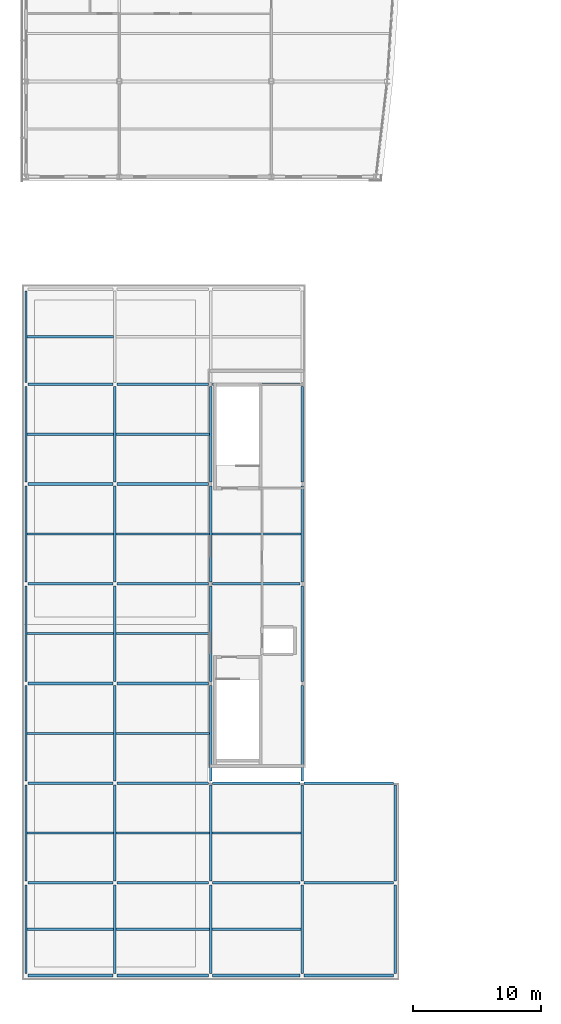
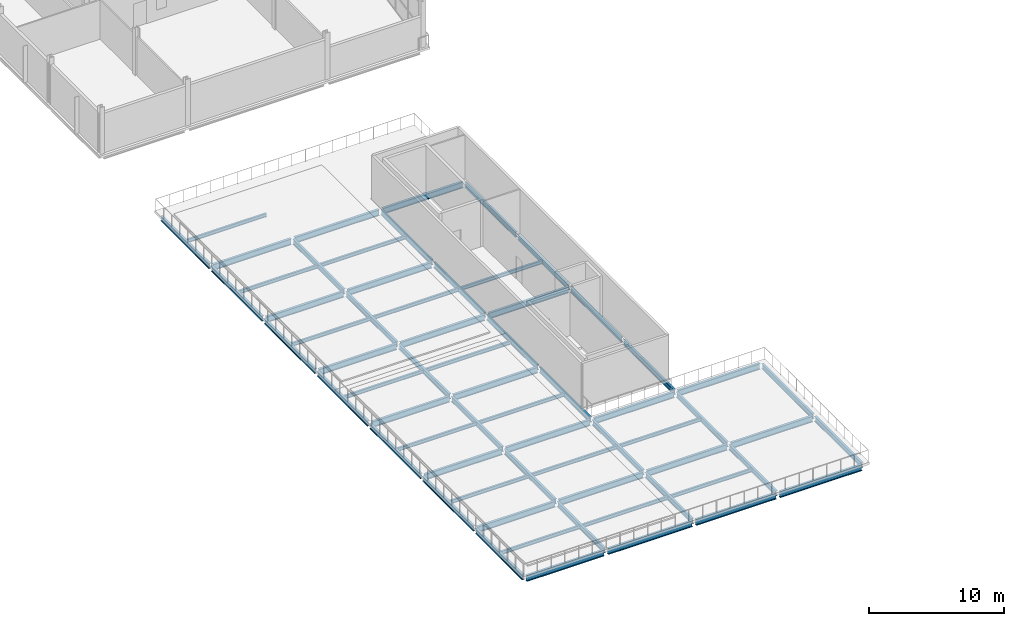
# One storey, part 2 of 36: 65 beams.
"""IFC4 building model written with IfcOpenShell, lengths in metres."""

import ifcopenshell
import ifcopenshell.guid

model = None  # the IFC model being written
_history = None  # IfcOwnerHistory: only IFC2X3 demands one
_inside = {}  # id of a spatial element -> (the spatial element, [elements in it])
_under = {}  # id of a project, library or spatial element -> (it, [spatial elements below it])
_declared = {}  # id of a project -> (the project, [libraries it declares])
_typed = {}  # id of a type object -> (the type object, [elements of that type])
_made_of = {}  # id of a material, layer set ... -> (it, [elements and type objects made of it])


def new_model(schema):
    """Start an empty IFC model of exactly this schema.

    Asked for "IFC4X3", IfcOpenShell would pick the latest addendum, in which some entities
    have other attributes; the version numbers below select the first issue.
    IFC2X3 requires an IfcOwnerHistory on every rooted entity: one is made here for all.
    """
    global model, _history
    if schema == "IFC4X3":
        model = ifcopenshell.file(schema_version=(4, 3, 0, 0))
    else:
        model = ifcopenshell.file(schema=schema)
    _inside.clear()
    _under.clear()
    _declared.clear()
    _typed.clear()
    _made_of.clear()
    _history = None
    if model.schema == "IFC2X3":
        org = make("IfcOrganization", Name="unknown")
        user = make(
            "IfcPersonAndOrganization",
            ThePerson=make("IfcPerson", FamilyName="unknown"),
            TheOrganization=org,
        )
        app = make(
            "IfcApplication",
            ApplicationDeveloper=org,
            Version="unknown",
            ApplicationFullName="unknown",
            ApplicationIdentifier="unknown",
        )
        _history = make(
            "IfcOwnerHistory",
            OwningUser=user,
            OwningApplication=app,
            ChangeAction="ADDED",
            CreationDate=0,
        )
    return model


def make(cls, **values):
    """One entity of the class cls with the attributes given. An attribute that is None is left unset."""
    return model.create_entity(
        cls, **{name: value for name, value in values.items() if value is not None}
    )


def rooted(cls, **values):
    """An entity with a GlobalId (a new one), such as an element, a storey or a relation."""
    return make(cls, GlobalId=ifcopenshell.guid.new(), OwnerHistory=_history, **values)


def si_unit(unit_type, name, prefix=None):
    """IfcSIUnit, for example si_unit("LENGTHUNIT", "METRE", prefix="MILLI")."""
    return make("IfcSIUnit", UnitType=unit_type, Prefix=prefix, Name=name)


def assignment(units):
    """IfcUnitAssignment: the units of a project."""
    return None if units is None else make("IfcUnitAssignment", Units=units)


def point(xyz):
    """IfcCartesianPoint."""
    return None if xyz is None else make("IfcCartesianPoint", Coordinates=xyz)


def direction(xyz):
    """IfcDirection."""
    return None if xyz is None else make("IfcDirection", DirectionRatios=xyz)


def frame(location, z_axis=None, x_axis=None):
    """IfcAxis2Placement3D, a coordinate frame: its origin and axes. An axis left out is left unset."""
    return make(
        "IfcAxis2Placement3D",
        Location=point(location),
        Axis=direction(z_axis),
        RefDirection=direction(x_axis),
    )


def frame_2d(location, x_axis=None):
    """IfcAxis2Placement2D, a coordinate frame in the plane: its origin and x axis."""
    return make(
        "IfcAxis2Placement2D", Location=point(location), RefDirection=direction(x_axis)
    )


def origin():
    """The frame at (0, 0, 0) with its axes left unset."""
    return frame((0.0, 0.0, 0.0))


def origin_2d():
    """The frame at (0, 0) in the plane with its x axis left unset."""
    return frame_2d((0.0, 0.0))


def place(relative_to, where):
    """IfcLocalPlacement: puts the frame where relative to a parent placement (None: the world)."""
    return make(
        "IfcLocalPlacement", PlacementRelTo=relative_to, RelativePlacement=where
    )


def context(
    kind, dimensions, precision=None, world=None, true_north=None, identifier=None
):
    """IfcGeometricRepresentationContext, for example the 3D "Model" context."""
    return make(
        "IfcGeometricRepresentationContext",
        ContextIdentifier=identifier,
        ContextType=kind,
        CoordinateSpaceDimension=dimensions,
        Precision=precision,
        WorldCoordinateSystem=world,
        TrueNorth=true_north,
    )


def subcontext(parent, identifier, kind, view, scale=None):
    """IfcGeometricRepresentationSubContext, for example "Body" below "Model"."""
    return make(
        "IfcGeometricRepresentationSubContext",
        ContextIdentifier=identifier,
        ContextType=kind,
        ParentContext=parent,
        TargetScale=scale,
        TargetView=view,
    )


def project(units=None, contexts=None):
    """IfcProject with its units and contexts."""
    return rooted(
        "IfcProject",
        Name="project",
        RepresentationContexts=contexts,
        UnitsInContext=assignment(units),
    )


def spatial(cls, under=None, at=None, **own):
    """A site, building, storey or space (cls), placed at a placement, below another one or the project."""
    s = rooted(cls, ObjectPlacement=at, **own)
    if under is not None:
        _under.setdefault(under.id(), (under, []))[1].append(s)
    return s


def profile(cls, at=None, kind="AREA", **sizes):
    """A parametric profile (cls). Its sizes go by their IFC names, for example OverallWidth=200.0."""
    return make(cls, ProfileType=kind, Position=at, **sizes)


def i_section(**sizes):
    """IfcIShapeProfileDef."""
    return profile("IfcIShapeProfileDef", **sizes)


def extrude(swept, where, along, depth):
    """IfcExtrudedAreaSolid: the profile swept, set in the frame where, extruded along a direction by depth."""
    return make(
        "IfcExtrudedAreaSolid",
        SweptArea=swept,
        Position=where,
        ExtrudedDirection=direction(along),
        Depth=depth,
    )


def shape(context_of_items, identifier, shape_type, items):
    """IfcShapeRepresentation: the items that make up one representation, for example the "Body"."""
    return make(
        "IfcShapeRepresentation",
        ContextOfItems=context_of_items,
        RepresentationIdentifier=identifier,
        RepresentationType=shape_type,
        Items=items,
    )


def material(Name=None, Category=None):
    """IfcMaterial."""
    return make("IfcMaterial", Name=Name, Category=Category)


def material_profile(
    of_material, cross_section, Name=None, Category=None, Priority=None
):
    """IfcMaterialProfile: a cross section and its material."""
    return make(
        "IfcMaterialProfile",
        Name=Name,
        Material=of_material,
        Profile=cross_section,
        Priority=Priority,
        Category=Category,
    )


def profile_set(profiles, Name=None, composite=None):
    """IfcMaterialProfileSet."""
    return make(
        "IfcMaterialProfileSet",
        Name=Name,
        MaterialProfiles=profiles,
        CompositeProfile=composite,
    )


def made_of(thing, what):
    """Note that an element or type object is made of a material, layer set ...; save() writes the relation."""
    if what is not None:
        _made_of.setdefault(what.id(), (what, []))[1].append(thing)
    return thing


def type_object(cls, material=None, **own):
    """A type object (cls), such as IfcWallType, which elements share."""
    return made_of(rooted(cls, **own), material)


def element(
    cls,
    number,
    at=None,
    inside=None,
    cuts=None,
    type_object=None,
    material=None,
    context=None,
    identifier="Body",
    shape_type=None,
    held_by="IfcProductDefinitionShape",
    body=None,
    shapes=None,
    **own,
):
    """One element of the class cls, such as IfcWall. Its Tag is "e" and its number.

    at: its placement. inside: the storey or other place that contains it. cuts: it is an
    opening in that element (IfcRelVoidsElement). A single representation is given by context,
    identifier, shape_type and body (its items); several are given by shapes. held_by: the class
    of the entity that holds the representations. save() writes the other relations.
    """
    e = rooted(cls, Tag="e%d" % number, ObjectPlacement=at, **own)
    if body is not None:
        shapes = [shape(context, identifier, shape_type, body)]
    if shapes is not None:
        e.Representation = make(held_by, Representations=shapes)
    if inside is not None:
        _inside.setdefault(inside.id(), (inside, []))[1].append(e)
    if cuts is not None:
        rooted(
            "IfcRelVoidsElement", RelatingBuildingElement=cuts, RelatedOpeningElement=e
        )
    if type_object is not None:
        _typed.setdefault(type_object.id(), (type_object, []))[1].append(e)
    return made_of(e, material)


def aggregate(whole, parts):
    """IfcRelAggregates: a whole, such as a stair, and the parts it consists of."""
    return rooted("IfcRelAggregates", RelatingObject=whole, RelatedObjects=parts)


def save(model, path):
    """Write the relations noted so far, then the file.

    IfcRelAggregates (storeys below a building ...), IfcRelContainedInSpatialStructure (elements
    in a storey), IfcRelDefinesByType, IfcRelAssociatesMaterial and IfcRelDeclares: one each for
    every whole, place, type object, material and project.
    """
    for whole, parts in _under.values():
        aggregate(whole, parts)
    for where, things in _inside.values():
        rooted(
            "IfcRelContainedInSpatialStructure",
            RelatedElements=things,
            RelatingStructure=where,
        )
    for kind, things in _typed.values():
        rooted("IfcRelDefinesByType", RelatedObjects=things, RelatingType=kind)
    for what, things in _made_of.values():
        rooted("IfcRelAssociatesMaterial", RelatedObjects=things, RelatingMaterial=what)
    for by, libraries in _declared.values():
        rooted("IfcRelDeclares", RelatingContext=by, RelatedDefinitions=libraries)
    model.write(path)


model = new_model("IFC4")

# Units and contexts
model_context = context("Model", 3, precision=1e-05, world=origin(), true_north=direction((0.0, 1.0)))
body_context = subcontext(model_context, "Body", "Model", "MODEL_VIEW")
ifc_project = project(units=[si_unit("LENGTHUNIT", "METRE"), si_unit("AREAUNIT", "SQUARE_METRE"), si_unit("VOLUMEUNIT", "CUBIC_METRE"), si_unit("PLANEANGLEUNIT", "RADIAN"), si_unit("MASSUNIT", "GRAM", prefix="KILO")], contexts=[model_context])

# Site, building, storey
site_placement = place(None, origin())
site = spatial("IfcSite", under=ifc_project, at=site_placement, CompositionType="ELEMENT")
building_placement = place(site_placement, origin())
building = spatial("IfcBuilding", under=site, at=building_placement, Name="Quillay Park Conservatory", CompositionType="ELEMENT")
storey_placement = place(building_placement, frame((0.0, 0.0, 18.300048828125)))
storey = spatial("IfcBuildingStorey", under=building, at=storey_placement, Name="L04", CompositionType="ELEMENT", Elevation=18.300048828125)

# Beams
ifc_material_1 = material(Name="Steel ASTM A992 Grade 50", Category="steel")
ifc_material_profile_1 = material_profile(ifc_material_1, i_section(OverallWidth=0.166015625, OverallDepth=0.31298828125, WebThickness=0.006591796875, FlangeThickness=0.01123046875, FilletRadius=0.010009765625, at=origin_2d()), Name="W310x45")
ifc_profile_set_1 = profile_set([ifc_material_profile_1], Name="Steel ASTM A992 Grade 50")
beam_type_1 = type_object("IfcBeamType", Name="COMPOSITE FLOOR JOIST W310 X45", PredefinedType="JOIST", material=ifc_profile_set_1)
beam_1_placement = place(storey_placement, frame((0.64599609375, 4.175048828125, -0.381591796875), z_axis=(1.0, 0.0, 0.0), x_axis=(0.0, 1.0, 0.0)))
element("IfcBeam", 1, at=beam_1_placement, inside=storey, type_object=beam_type_1, Name="L04 beam BM-V3J-1526", PredefinedType="JOIST", context=body_context, shape_type="SweptSolid", body=[
    extrude(i_section(OverallWidth=0.166015625, OverallDepth=0.31298828125, WebThickness=0.006591796875, FlangeThickness=0.01123046875, FilletRadius=0.010009765625, at=origin_2d()), origin(), (0.0, 0.0, 1.0), 6.758056640625),
])
beam_2_placement = place(storey_placement, frame((7.595947265625, 4.175048828125, -0.381591796875), z_axis=(1.0, 0.0, 0.0), x_axis=(0.0, 1.0, 0.0)))
element("IfcBeam", 2, at=beam_2_placement, inside=storey, type_object=beam_type_1, Name="L04 beam BM-V3J-1527", PredefinedType="JOIST", context=body_context, shape_type="SweptSolid", body=[
    extrude(i_section(OverallWidth=0.166015625, OverallDepth=0.31298828125, WebThickness=0.006591796875, FlangeThickness=0.01123046875, FilletRadius=0.010009765625, at=origin_2d()), origin(), (0.0, 0.0, 1.0), 7.30810546875),
])
beam_3_placement = place(storey_placement, frame((15.095947265625, 4.175048828125, -0.381591796875), z_axis=(1.0, 0.0, 0.0), x_axis=(0.0, 1.0, 0.0)))
element("IfcBeam", 3, at=beam_3_placement, inside=storey, type_object=beam_type_1, Name="L04 beam BM-V3J-1528", PredefinedType="JOIST", context=body_context, shape_type="SweptSolid", body=[
    extrude(i_section(OverallWidth=0.166015625, OverallDepth=0.31298828125, WebThickness=0.006591796875, FlangeThickness=0.01123046875, FilletRadius=0.010009765625, at=origin_2d()), origin(), (0.0, 0.0, 1.0), 6.9580078125),
])
beam_4_placement = place(storey_placement, frame((0.64599609375, 11.699951171875, -0.381591796875), z_axis=(1.0, 0.0, 0.0), x_axis=(0.0, 1.0, 0.0)))
element("IfcBeam", 4, at=beam_4_placement, inside=storey, type_object=beam_type_1, Name="L04 beam BM-V3J-1529", PredefinedType="JOIST", context=body_context, shape_type="SweptSolid", body=[
    extrude(i_section(OverallWidth=0.166015625, OverallDepth=0.31298828125, WebThickness=0.006591796875, FlangeThickness=0.01123046875, FilletRadius=0.010009765625, at=origin_2d()), origin(), (0.0, 0.0, 1.0), 6.758056640625),
])
beam_5_placement = place(storey_placement, frame((7.595947265625, 11.699951171875, -0.381591796875), z_axis=(1.0, 0.0, 0.0), x_axis=(0.0, 1.0, 0.0)))
element("IfcBeam", 5, at=beam_5_placement, inside=storey, type_object=beam_type_1, Name="L04 beam BM-V3J-1530", PredefinedType="JOIST", context=body_context, shape_type="SweptSolid", body=[
    extrude(i_section(OverallWidth=0.166015625, OverallDepth=0.31298828125, WebThickness=0.006591796875, FlangeThickness=0.01123046875, FilletRadius=0.010009765625, at=origin_2d()), origin(), (0.0, 0.0, 1.0), 7.30810546875),
])
beam_6_placement = place(storey_placement, frame((15.095947265625, 11.699951171875, -0.381591796875), z_axis=(1.0, 0.0, 0.0), x_axis=(0.0, 1.0, 0.0)))
element("IfcBeam", 6, at=beam_6_placement, inside=storey, type_object=beam_type_1, Name="L04 beam BM-V3J-1531", PredefinedType="JOIST", context=body_context, shape_type="SweptSolid", body=[
    extrude(i_section(OverallWidth=0.166015625, OverallDepth=0.31298828125, WebThickness=0.006591796875, FlangeThickness=0.01123046875, FilletRadius=0.010009765625, at=origin_2d()), origin(), (0.0, 0.0, 1.0), 6.9580078125),
])
beam_7_placement = place(storey_placement, frame((0.64599609375, 19.5, -0.381591796875), z_axis=(1.0, 0.0, 0.0), x_axis=(0.0, 1.0, 0.0)))
element("IfcBeam", 7, at=beam_7_placement, inside=storey, type_object=beam_type_1, Name="L04 beam BM-V3J-1532", PredefinedType="JOIST", context=body_context, shape_type="SweptSolid", body=[
    extrude(i_section(OverallWidth=0.166015625, OverallDepth=0.31298828125, WebThickness=0.006591796875, FlangeThickness=0.01123046875, FilletRadius=0.010009765625, at=origin_2d()), origin(), (0.0, 0.0, 1.0), 6.758056640625),
])
beam_8_placement = place(storey_placement, frame((7.595947265625, 19.5, -0.381591796875), z_axis=(1.0, 0.0, 0.0), x_axis=(0.0, 1.0, 0.0)))
element("IfcBeam", 8, at=beam_8_placement, inside=storey, type_object=beam_type_1, Name="L04 beam BM-V3J-1533", PredefinedType="JOIST", context=body_context, shape_type="SweptSolid", body=[
    extrude(i_section(OverallWidth=0.166015625, OverallDepth=0.31298828125, WebThickness=0.006591796875, FlangeThickness=0.01123046875, FilletRadius=0.010009765625, at=origin_2d()), origin(), (0.0, 0.0, 1.0), 7.30810546875),
])
beam_9_placement = place(storey_placement, frame((0.64599609375, 27.300048828125, -0.381591796875), z_axis=(1.0, 0.0, 0.0), x_axis=(0.0, 1.0, 0.0)))
element("IfcBeam", 9, at=beam_9_placement, inside=storey, type_object=beam_type_1, Name="L04 beam BM-V3J-1534", PredefinedType="JOIST", context=body_context, shape_type="SweptSolid", body=[
    extrude(i_section(OverallWidth=0.166015625, OverallDepth=0.31298828125, WebThickness=0.006591796875, FlangeThickness=0.01123046875, FilletRadius=0.010009765625, at=origin_2d()), origin(), (0.0, 0.0, 1.0), 6.758056640625),
])
beam_10_placement = place(storey_placement, frame((7.595947265625, 27.300048828125, -0.381591796875), z_axis=(1.0, 0.0, 0.0), x_axis=(0.0, 1.0, 0.0)))
element("IfcBeam", 10, at=beam_10_placement, inside=storey, type_object=beam_type_1, Name="L04 beam BM-V3J-1535", PredefinedType="JOIST", context=body_context, shape_type="SweptSolid", body=[
    extrude(i_section(OverallWidth=0.166015625, OverallDepth=0.31298828125, WebThickness=0.006591796875, FlangeThickness=0.01123046875, FilletRadius=0.010009765625, at=origin_2d()), origin(), (0.0, 0.0, 1.0), 7.30810546875),
])
beam_11_placement = place(storey_placement, frame((0.64599609375, 35.10009765625, -0.381591796875), z_axis=(1.0, 0.0, 0.0), x_axis=(0.0, 1.0, 0.0)))
element("IfcBeam", 11, at=beam_11_placement, inside=storey, type_object=beam_type_1, Name="L04 beam BM-V3J-1536", PredefinedType="JOIST", context=body_context, shape_type="SweptSolid", body=[
    extrude(i_section(OverallWidth=0.166015625, OverallDepth=0.31298828125, WebThickness=0.006591796875, FlangeThickness=0.01123046875, FilletRadius=0.010009765625, at=origin_2d()), origin(), (0.0, 0.0, 1.0), 6.758056640625),
])
beam_12_placement = place(storey_placement, frame((7.595947265625, 35.10009765625, -0.381591796875), z_axis=(1.0, 0.0, 0.0), x_axis=(0.0, 1.0, 0.0)))
element("IfcBeam", 12, at=beam_12_placement, inside=storey, type_object=beam_type_1, Name="L04 beam BM-V3J-1537", PredefinedType="JOIST", context=body_context, shape_type="SweptSolid", body=[
    extrude(i_section(OverallWidth=0.166015625, OverallDepth=0.31298828125, WebThickness=0.006591796875, FlangeThickness=0.01123046875, FilletRadius=0.010009765625, at=origin_2d()), origin(), (0.0, 0.0, 1.0), 7.30810546875),
])
beam_13_placement = place(storey_placement, frame((15.095947265625, 35.10009765625, -0.381591796875), z_axis=(1.0, 0.0, 0.0), x_axis=(0.0, 1.0, 0.0)))
element("IfcBeam", 13, at=beam_13_placement, inside=storey, type_object=beam_type_1, Name="L04 beam BM-V3J-1538", PredefinedType="JOIST", context=body_context, shape_type="SweptSolid", body=[
    extrude(i_section(OverallWidth=0.166015625, OverallDepth=0.31298828125, WebThickness=0.006591796875, FlangeThickness=0.01123046875, FilletRadius=0.010009765625, at=origin_2d()), origin(), (0.0, 0.0, 1.0), 6.9580078125),
])
beam_14_placement = place(storey_placement, frame((0.64599609375, 42.89990234375, -0.381591796875), z_axis=(1.0, 0.0, 0.0), x_axis=(0.0, 1.0, 0.0)))
element("IfcBeam", 14, at=beam_14_placement, inside=storey, type_object=beam_type_1, Name="L04 beam BM-V3J-1539", PredefinedType="JOIST", context=body_context, shape_type="SweptSolid", body=[
    extrude(i_section(OverallWidth=0.166015625, OverallDepth=0.31298828125, WebThickness=0.006591796875, FlangeThickness=0.01123046875, FilletRadius=0.010009765625, at=origin_2d()), origin(), (0.0, 0.0, 1.0), 6.758056640625),
])
beam_15_placement = place(storey_placement, frame((7.595947265625, 42.89990234375, -0.381591796875), z_axis=(1.0, 0.0, 0.0), x_axis=(0.0, 1.0, 0.0)))
element("IfcBeam", 15, at=beam_15_placement, inside=storey, type_object=beam_type_1, Name="L04 beam BM-V3J-1540", PredefinedType="JOIST", context=body_context, shape_type="SweptSolid", body=[
    extrude(i_section(OverallWidth=0.166015625, OverallDepth=0.31298828125, WebThickness=0.006591796875, FlangeThickness=0.01123046875, FilletRadius=0.010009765625, at=origin_2d()), origin(), (0.0, 0.0, 1.0), 7.30810546875),
])
beam_16_placement = place(storey_placement, frame((0.64599609375, 50.52490234375, -0.381591796875), z_axis=(1.0, 0.0, 0.0), x_axis=(0.0, 1.0, 0.0)))
element("IfcBeam", 16, at=beam_16_placement, inside=storey, type_object=beam_type_1, Name="L04 beam BM-V3J-1541", PredefinedType="JOIST", context=body_context, shape_type="SweptSolid", body=[
    extrude(i_section(OverallWidth=0.166015625, OverallDepth=0.31298828125, WebThickness=0.006591796875, FlangeThickness=0.01123046875, FilletRadius=0.010009765625, at=origin_2d()), origin(), (0.0, 0.0, 1.0), 6.758056640625),
])
ifc_material_2 = material(Name="Steel ASTM A992 Grade 50", Category="steel")
ifc_material_profile_2 = material_profile(ifc_material_2, i_section(OverallWidth=0.19189453125, OverallDepth=0.462890625, WebThickness=0.010498046875, FlangeThickness=0.017578125, FilletRadius=0.012939453125, at=origin_2d()), Name="W460x89")
ifc_profile_set_2 = profile_set([ifc_material_profile_2], Name="Steel ASTM A992 Grade 50")
beam_type_2 = type_object("IfcBeamType", Name="PRIMARY FLOOR GIRDER W460 X89", PredefinedType="BEAM", material=ifc_profile_set_2)
beam_17_placement = place(storey_placement, frame((0.550048828125, 0.70703125, -0.45654296875), z_axis=(0.0, 1.0, 0.0), x_axis=(-1.0, 0.0, 0.0)))
element("IfcBeam", 17, at=beam_17_placement, inside=storey, type_object=beam_type_2, Name="L04 beam BM-V3Y-1496", PredefinedType="BEAM", context=body_context, shape_type="SweptSolid", body=[
    extrude(i_section(OverallWidth=0.19189453125, OverallDepth=0.462890625, WebThickness=0.010498046875, FlangeThickness=0.017578125, FilletRadius=0.012939453125, at=origin_2d()), origin(), (0.0, 0.0, 1.0), 6.93603515625),
])
beam_18_placement = place(storey_placement, frame((0.550048828125, 7.95703125, -0.45654296875), z_axis=(0.0, 1.0, 0.0), x_axis=(-1.0, 0.0, 0.0)))
element("IfcBeam", 18, at=beam_18_placement, inside=storey, type_object=beam_type_2, Name="L04 beam BM-V3Y-1497", PredefinedType="BEAM", context=body_context, shape_type="SweptSolid", body=[
    extrude(i_section(OverallWidth=0.19189453125, OverallDepth=0.462890625, WebThickness=0.010498046875, FlangeThickness=0.017578125, FilletRadius=0.012939453125, at=origin_2d()), origin(), (0.0, 0.0, 1.0), 7.486083984375),
])
beam_19_placement = place(storey_placement, frame((0.550048828125, 15.757080078125, -0.45654296875), z_axis=(0.0, 1.0, 0.0), x_axis=(-1.0, 0.0, 0.0)))
element("IfcBeam", 19, at=beam_19_placement, inside=storey, type_object=beam_type_2, Name="L04 beam BM-V3Y-1498", PredefinedType="BEAM", context=body_context, shape_type="SweptSolid", body=[
    extrude(i_section(OverallWidth=0.19189453125, OverallDepth=0.462890625, WebThickness=0.010498046875, FlangeThickness=0.017578125, FilletRadius=0.012939453125, at=origin_2d()), origin(), (0.0, 0.0, 1.0), 7.48583984375),
])
for number, where, z_axis, x_axis, name in (
    (20, (0.550048828125, 23.556884765625, -0.45654296875), (0.0, 1.0, 0.0), (-1.0, 0.0, 0.0), "L04 beam BM-V3Y-1499"),
    (21, (0.550048828125, 31.35693359375, -0.45654296875), (0.0, 1.0, 0.0), (-1.0, 0.0, 0.0), "L04 beam BM-V3Y-1500"),
    (22, (0.550048828125, 39.156982421875, -0.45654296875), (0.0, 1.0, 0.0), (-1.0, 0.0, 0.0), "L04 beam BM-V3Y-1501"),
):
    element("IfcBeam", number, at=place(storey_placement, frame(where, z_axis=z_axis, x_axis=x_axis)), inside=storey, type_object=beam_type_2, Name=name, PredefinedType="BEAM", context=body_context, shape_type="SweptSolid", body=[
        extrude(i_section(OverallWidth=0.19189453125, OverallDepth=0.462890625, WebThickness=0.010498046875, FlangeThickness=0.017578125, FilletRadius=0.012939453125, at=origin_2d()), origin(), (0.0, 0.0, 1.0), 7.486083984375),
    ])
beam_20_placement = place(storey_placement, frame((0.550048828125, 46.95703125, -0.45654296875), z_axis=(0.0, 1.0, 0.0), x_axis=(-1.0, 0.0, 0.0)))
element("IfcBeam", 23, at=beam_20_placement, inside=storey, type_object=beam_type_2, Name="L04 beam BM-V3Y-1502", PredefinedType="BEAM", context=body_context, shape_type="SweptSolid", body=[
    extrude(i_section(OverallWidth=0.19189453125, OverallDepth=0.462890625, WebThickness=0.010498046875, FlangeThickness=0.017578125, FilletRadius=0.012939453125, at=origin_2d()), origin(), (0.0, 0.0, 1.0), 7.135986328125),
])
beam_21_placement = place(storey_placement, frame((7.5, 0.70703125, -0.45654296875), z_axis=(0.0, 1.0, 0.0), x_axis=(-1.0, 0.0, 0.0)))
element("IfcBeam", 24, at=beam_21_placement, inside=storey, type_object=beam_type_2, Name="L04 beam BM-V3Y-1503", PredefinedType="BEAM", context=body_context, shape_type="SweptSolid", body=[
    extrude(i_section(OverallWidth=0.19189453125, OverallDepth=0.462890625, WebThickness=0.010498046875, FlangeThickness=0.017578125, FilletRadius=0.012939453125, at=origin_2d()), origin(), (0.0, 0.0, 1.0), 6.93603515625),
])
beam_22_placement = place(storey_placement, frame((7.5, 7.95703125, -0.45654296875), z_axis=(0.0, 1.0, 0.0), x_axis=(-1.0, 0.0, 0.0)))
element("IfcBeam", 25, at=beam_22_placement, inside=storey, type_object=beam_type_2, Name="L04 beam BM-V3Y-1504", PredefinedType="BEAM", context=body_context, shape_type="SweptSolid", body=[
    extrude(i_section(OverallWidth=0.19189453125, OverallDepth=0.462890625, WebThickness=0.010498046875, FlangeThickness=0.017578125, FilletRadius=0.012939453125, at=origin_2d()), origin(), (0.0, 0.0, 1.0), 7.486083984375),
])
beam_23_placement = place(storey_placement, frame((7.5, 15.757080078125, -0.45654296875), z_axis=(0.0, 1.0, 0.0), x_axis=(-1.0, 0.0, 0.0)))
element("IfcBeam", 26, at=beam_23_placement, inside=storey, type_object=beam_type_2, Name="L04 beam BM-V3Y-1505", PredefinedType="BEAM", context=body_context, shape_type="SweptSolid", body=[
    extrude(i_section(OverallWidth=0.19189453125, OverallDepth=0.462890625, WebThickness=0.010498046875, FlangeThickness=0.017578125, FilletRadius=0.012939453125, at=origin_2d()), origin(), (0.0, 0.0, 1.0), 7.48583984375),
])
for number, where, z_axis, x_axis, name in (
    (27, (7.5, 23.556884765625, -0.45654296875), (0.0, 1.0, 0.0), (-1.0, 0.0, 0.0), "L04 beam BM-V3Y-1506"),
    (28, (7.5, 31.35693359375, -0.45654296875), (0.0, 1.0, 0.0), (-1.0, 0.0, 0.0), "L04 beam BM-V3Y-1507"),
    (29, (7.5, 39.156982421875, -0.45654296875), (0.0, 1.0, 0.0), (-1.0, 0.0, 0.0), "L04 beam BM-V3Y-1508"),
):
    element("IfcBeam", number, at=place(storey_placement, frame(where, z_axis=z_axis, x_axis=x_axis)), inside=storey, type_object=beam_type_2, Name=name, PredefinedType="BEAM", context=body_context, shape_type="SweptSolid", body=[
        extrude(i_section(OverallWidth=0.19189453125, OverallDepth=0.462890625, WebThickness=0.010498046875, FlangeThickness=0.017578125, FilletRadius=0.012939453125, at=origin_2d()), origin(), (0.0, 0.0, 1.0), 7.486083984375),
    ])
beam_24_placement = place(storey_placement, frame((15.0, 0.70703125, -0.45654296875), z_axis=(0.0, 1.0, 0.0), x_axis=(-1.0, 0.0, 0.0)))
element("IfcBeam", 30, at=beam_24_placement, inside=storey, type_object=beam_type_2, Name="L04 beam BM-V3Y-1510", PredefinedType="BEAM", context=body_context, shape_type="SweptSolid", body=[
    extrude(i_section(OverallWidth=0.19189453125, OverallDepth=0.462890625, WebThickness=0.010498046875, FlangeThickness=0.017578125, FilletRadius=0.012939453125, at=origin_2d()), origin(), (0.0, 0.0, 1.0), 6.93603515625),
])
beam_25_placement = place(storey_placement, frame((15.0, 7.95703125, -0.45654296875), z_axis=(0.0, 1.0, 0.0), x_axis=(-1.0, 0.0, 0.0)))
element("IfcBeam", 31, at=beam_25_placement, inside=storey, type_object=beam_type_2, Name="L04 beam BM-V3Y-1511", PredefinedType="BEAM", context=body_context, shape_type="SweptSolid", body=[
    extrude(i_section(OverallWidth=0.19189453125, OverallDepth=0.462890625, WebThickness=0.010498046875, FlangeThickness=0.017578125, FilletRadius=0.012939453125, at=origin_2d()), origin(), (0.0, 0.0, 1.0), 7.486083984375),
])
beam_26_placement = place(storey_placement, frame((15.0, 15.757080078125, -0.45654296875), z_axis=(0.0, 1.0, 0.0), x_axis=(-1.0, 0.0, 0.0)))
element("IfcBeam", 32, at=beam_26_placement, inside=storey, type_object=beam_type_2, Name="L04 beam BM-V3Y-1512", PredefinedType="BEAM", context=body_context, shape_type="SweptSolid", body=[
    extrude(i_section(OverallWidth=0.19189453125, OverallDepth=0.462890625, WebThickness=0.010498046875, FlangeThickness=0.017578125, FilletRadius=0.012939453125, at=origin_2d()), origin(), (0.0, 0.0, 1.0), 7.48583984375),
])
for number, where, z_axis, x_axis, name in (
    (33, (15.0, 23.556884765625, -0.45654296875), (0.0, 1.0, 0.0), (-1.0, 0.0, 0.0), "L04 beam BM-V3Y-1513"),
    (34, (15.0, 31.35693359375, -0.45654296875), (0.0, 1.0, 0.0), (-1.0, 0.0, 0.0), "L04 beam BM-V3Y-1514"),
    (35, (15.0, 39.156982421875, -0.45654296875), (0.0, 1.0, 0.0), (-1.0, 0.0, 0.0), "L04 beam BM-V3Y-1515"),
):
    element("IfcBeam", number, at=place(storey_placement, frame(where, z_axis=z_axis, x_axis=x_axis)), inside=storey, type_object=beam_type_2, Name=name, PredefinedType="BEAM", context=body_context, shape_type="SweptSolid", body=[
        extrude(i_section(OverallWidth=0.19189453125, OverallDepth=0.462890625, WebThickness=0.010498046875, FlangeThickness=0.017578125, FilletRadius=0.012939453125, at=origin_2d()), origin(), (0.0, 0.0, 1.0), 7.486083984375),
    ])
beam_27_placement = place(storey_placement, frame((22.14990234375, 0.70703125, -0.45654296875), z_axis=(0.0, 1.0, 0.0), x_axis=(-1.0, 0.0, 0.0)))
element("IfcBeam", 36, at=beam_27_placement, inside=storey, type_object=beam_type_2, Name="L04 beam BM-V3Y-1517", PredefinedType="BEAM", context=body_context, shape_type="SweptSolid", body=[
    extrude(i_section(OverallWidth=0.19189453125, OverallDepth=0.462890625, WebThickness=0.010498046875, FlangeThickness=0.017578125, FilletRadius=0.012939453125, at=origin_2d()), origin(), (0.0, 0.0, 1.0), 6.93603515625),
])
beam_28_placement = place(storey_placement, frame((22.14990234375, 7.95703125, -0.45654296875), z_axis=(0.0, 1.0, 0.0), x_axis=(-1.0, 0.0, 0.0)))
element("IfcBeam", 37, at=beam_28_placement, inside=storey, type_object=beam_type_2, Name="L04 beam BM-V3Y-1518", PredefinedType="BEAM", context=body_context, shape_type="SweptSolid", body=[
    extrude(i_section(OverallWidth=0.19189453125, OverallDepth=0.462890625, WebThickness=0.010498046875, FlangeThickness=0.017578125, FilletRadius=0.012939453125, at=origin_2d()), origin(), (0.0, 0.0, 1.0), 7.486083984375),
])
beam_29_placement = place(storey_placement, frame((22.14990234375, 15.757080078125, -0.45654296875), z_axis=(0.0, 1.0, 0.0), x_axis=(-1.0, 0.0, 0.0)))
element("IfcBeam", 38, at=beam_29_placement, inside=storey, type_object=beam_type_2, Name="L04 beam BM-V3Y-1519", PredefinedType="BEAM", context=body_context, shape_type="SweptSolid", body=[
    extrude(i_section(OverallWidth=0.19189453125, OverallDepth=0.462890625, WebThickness=0.010498046875, FlangeThickness=0.017578125, FilletRadius=0.012939453125, at=origin_2d()), origin(), (0.0, 0.0, 1.0), 7.48583984375),
])
for number, where, z_axis, x_axis, name in (
    (39, (22.14990234375, 23.556884765625, -0.45654296875), (0.0, 1.0, 0.0), (-1.0, 0.0, 0.0), "L04 beam BM-V3Y-1520"),
    (40, (22.14990234375, 31.35693359375, -0.45654296875), (0.0, 1.0, 0.0), (-1.0, 0.0, 0.0), "L04 beam BM-V3Y-1521"),
    (41, (22.14990234375, 39.156982421875, -0.45654296875), (0.0, 1.0, 0.0), (-1.0, 0.0, 0.0), "L04 beam BM-V3Y-1522"),
):
    element("IfcBeam", number, at=place(storey_placement, frame(where, z_axis=z_axis, x_axis=x_axis)), inside=storey, type_object=beam_type_2, Name=name, PredefinedType="BEAM", context=body_context, shape_type="SweptSolid", body=[
        extrude(i_section(OverallWidth=0.19189453125, OverallDepth=0.462890625, WebThickness=0.010498046875, FlangeThickness=0.017578125, FilletRadius=0.012939453125, at=origin_2d()), origin(), (0.0, 0.0, 1.0), 7.486083984375),
    ])
beam_30_placement = place(storey_placement, frame((29.449951171875, 0.70703125, -0.45654296875), z_axis=(0.0, 1.0, 0.0), x_axis=(-1.0, 0.0, 0.0)))
element("IfcBeam", 42, at=beam_30_placement, inside=storey, type_object=beam_type_2, Name="L04 beam BM-V3Y-1524", PredefinedType="BEAM", context=body_context, shape_type="SweptSolid", body=[
    extrude(i_section(OverallWidth=0.19189453125, OverallDepth=0.462890625, WebThickness=0.010498046875, FlangeThickness=0.017578125, FilletRadius=0.012939453125, at=origin_2d()), origin(), (0.0, 0.0, 1.0), 6.93603515625),
])
beam_31_placement = place(storey_placement, frame((29.449951171875, 7.95703125, -0.45654296875), z_axis=(0.0, 1.0, 0.0), x_axis=(-1.0, 0.0, 0.0)))
element("IfcBeam", 43, at=beam_31_placement, inside=storey, type_object=beam_type_2, Name="L04 beam BM-V3Y-1525", PredefinedType="BEAM", context=body_context, shape_type="SweptSolid", body=[
    extrude(i_section(OverallWidth=0.19189453125, OverallDepth=0.462890625, WebThickness=0.010498046875, FlangeThickness=0.017578125, FilletRadius=0.012939453125, at=origin_2d()), origin(), (0.0, 0.0, 1.0), 7.486083984375),
])
ifc_material_3 = material(Name="Steel ASTM A992 Grade 50", Category="steel")
ifc_material_profile_3 = material_profile(ifc_material_3, i_section(OverallWidth=0.2109375, OverallDepth=0.5390625, WebThickness=0.01171875, FlangeThickness=0.018798828125, FilletRadius=0.013916015625, at=origin_2d()), Name="W530x109")
ifc_profile_set_3 = profile_set([ifc_material_profile_3], Name="Steel ASTM A992 Grade 50")
beam_type_3 = type_object("IfcBeamType", Name="PRIMARY FLOOR GIRDER W530 X109", PredefinedType="BEAM", material=ifc_profile_set_3)
beam_32_placement = place(storey_placement, frame((0.70361328125, 0.550048828125, -0.49462890625), z_axis=(1.0, 0.0, 0.0), x_axis=(0.0, 1.0, 0.0)))
element("IfcBeam", 44, at=beam_32_placement, inside=storey, type_object=beam_type_3, Name="L04 beam BM-V3X-1471", PredefinedType="BEAM", context=body_context, shape_type="SweptSolid", body=[
    extrude(i_section(OverallWidth=0.2109375, OverallDepth=0.5390625, WebThickness=0.01171875, FlangeThickness=0.018798828125, FilletRadius=0.013916015625, at=origin_2d()), origin(), (0.0, 0.0, 1.0), 6.642822265625),
])
beam_33_placement = place(storey_placement, frame((7.653564453125, 0.550048828125, -0.49462890625), z_axis=(1.0, 0.0, 0.0), x_axis=(0.0, 1.0, 0.0)))
element("IfcBeam", 45, at=beam_33_placement, inside=storey, type_object=beam_type_3, Name="L04 beam BM-V3X-1472", PredefinedType="BEAM", context=body_context, shape_type="SweptSolid", body=[
    extrude(i_section(OverallWidth=0.2109375, OverallDepth=0.5390625, WebThickness=0.01171875, FlangeThickness=0.018798828125, FilletRadius=0.013916015625, at=origin_2d()), origin(), (0.0, 0.0, 1.0), 7.19287109375),
])
beam_34_placement = place(storey_placement, frame((15.153564453125, 0.550048828125, -0.49462890625), z_axis=(1.0, 0.0, 0.0), x_axis=(0.0, 1.0, 0.0)))
element("IfcBeam", 46, at=beam_34_placement, inside=storey, type_object=beam_type_3, Name="L04 beam BM-V3X-1473", PredefinedType="BEAM", context=body_context, shape_type="SweptSolid", body=[
    extrude(i_section(OverallWidth=0.2109375, OverallDepth=0.5390625, WebThickness=0.01171875, FlangeThickness=0.018798828125, FilletRadius=0.013916015625, at=origin_2d()), origin(), (0.0, 0.0, 1.0), 6.843017578125),
])
beam_35_placement = place(storey_placement, frame((22.303466796875, 0.550048828125, -0.49462890625), z_axis=(1.0, 0.0, 0.0), x_axis=(0.0, 1.0, 0.0)))
element("IfcBeam", 47, at=beam_35_placement, inside=storey, type_object=beam_type_3, Name="L04 beam BM-V3X-1474", PredefinedType="BEAM", context=body_context, shape_type="SweptSolid", body=[
    extrude(i_section(OverallWidth=0.2109375, OverallDepth=0.5390625, WebThickness=0.01171875, FlangeThickness=0.018798828125, FilletRadius=0.013916015625, at=origin_2d()), origin(), (0.0, 0.0, 1.0), 6.992919921875),
])
beam_36_placement = place(storey_placement, frame((0.70361328125, 7.800048828125, -0.49462890625), z_axis=(1.0, 0.0, 0.0), x_axis=(0.0, 1.0, 0.0)))
element("IfcBeam", 48, at=beam_36_placement, inside=storey, type_object=beam_type_3, Name="L04 beam BM-V3X-1475", PredefinedType="BEAM", context=body_context, shape_type="SweptSolid", body=[
    extrude(i_section(OverallWidth=0.2109375, OverallDepth=0.5390625, WebThickness=0.01171875, FlangeThickness=0.018798828125, FilletRadius=0.013916015625, at=origin_2d()), origin(), (0.0, 0.0, 1.0), 6.642822265625),
])
beam_37_placement = place(storey_placement, frame((7.653564453125, 7.800048828125, -0.49462890625), z_axis=(1.0, 0.0, 0.0), x_axis=(0.0, 1.0, 0.0)))
element("IfcBeam", 49, at=beam_37_placement, inside=storey, type_object=beam_type_3, Name="L04 beam BM-V3X-1476", PredefinedType="BEAM", context=body_context, shape_type="SweptSolid", body=[
    extrude(i_section(OverallWidth=0.2109375, OverallDepth=0.5390625, WebThickness=0.01171875, FlangeThickness=0.018798828125, FilletRadius=0.013916015625, at=origin_2d()), origin(), (0.0, 0.0, 1.0), 7.19287109375),
])
beam_38_placement = place(storey_placement, frame((15.153564453125, 7.800048828125, -0.49462890625), z_axis=(1.0, 0.0, 0.0), x_axis=(0.0, 1.0, 0.0)))
element("IfcBeam", 50, at=beam_38_placement, inside=storey, type_object=beam_type_3, Name="L04 beam BM-V3X-1477", PredefinedType="BEAM", context=body_context, shape_type="SweptSolid", body=[
    extrude(i_section(OverallWidth=0.2109375, OverallDepth=0.5390625, WebThickness=0.01171875, FlangeThickness=0.018798828125, FilletRadius=0.013916015625, at=origin_2d()), origin(), (0.0, 0.0, 1.0), 6.843017578125),
])
beam_39_placement = place(storey_placement, frame((22.303466796875, 7.800048828125, -0.49462890625), z_axis=(1.0, 0.0, 0.0), x_axis=(0.0, 1.0, 0.0)))
element("IfcBeam", 51, at=beam_39_placement, inside=storey, type_object=beam_type_3, Name="L04 beam BM-V3X-1478", PredefinedType="BEAM", context=body_context, shape_type="SweptSolid", body=[
    extrude(i_section(OverallWidth=0.2109375, OverallDepth=0.5390625, WebThickness=0.01171875, FlangeThickness=0.018798828125, FilletRadius=0.013916015625, at=origin_2d()), origin(), (0.0, 0.0, 1.0), 6.992919921875),
])
beam_40_placement = place(storey_placement, frame((0.70361328125, 15.60009765625, -0.49462890625), z_axis=(1.0, 0.0, 0.0), x_axis=(0.0, 1.0, 0.0)))
element("IfcBeam", 52, at=beam_40_placement, inside=storey, type_object=beam_type_3, Name="L04 beam BM-V3X-1479", PredefinedType="BEAM", context=body_context, shape_type="SweptSolid", body=[
    extrude(i_section(OverallWidth=0.2109375, OverallDepth=0.5390625, WebThickness=0.01171875, FlangeThickness=0.018798828125, FilletRadius=0.013916015625, at=origin_2d()), origin(), (0.0, 0.0, 1.0), 6.642822265625),
])
beam_41_placement = place(storey_placement, frame((7.653564453125, 15.60009765625, -0.49462890625), z_axis=(1.0, 0.0, 0.0), x_axis=(0.0, 1.0, 0.0)))
element("IfcBeam", 53, at=beam_41_placement, inside=storey, type_object=beam_type_3, Name="L04 beam BM-V3X-1480", PredefinedType="BEAM", context=body_context, shape_type="SweptSolid", body=[
    extrude(i_section(OverallWidth=0.2109375, OverallDepth=0.5390625, WebThickness=0.01171875, FlangeThickness=0.018798828125, FilletRadius=0.013916015625, at=origin_2d()), origin(), (0.0, 0.0, 1.0), 7.19287109375),
])
beam_42_placement = place(storey_placement, frame((15.153564453125, 15.60009765625, -0.49462890625), z_axis=(1.0, 0.0, 0.0), x_axis=(0.0, 1.0, 0.0)))
element("IfcBeam", 54, at=beam_42_placement, inside=storey, type_object=beam_type_3, Name="L04 beam BM-V3X-1481", PredefinedType="BEAM", context=body_context, shape_type="SweptSolid", body=[
    extrude(i_section(OverallWidth=0.2109375, OverallDepth=0.5390625, WebThickness=0.01171875, FlangeThickness=0.018798828125, FilletRadius=0.013916015625, at=origin_2d()), origin(), (0.0, 0.0, 1.0), 6.843017578125),
])
beam_43_placement = place(storey_placement, frame((22.303466796875, 15.60009765625, -0.49462890625), z_axis=(1.0, 0.0, 0.0), x_axis=(0.0, 1.0, 0.0)))
element("IfcBeam", 55, at=beam_43_placement, inside=storey, type_object=beam_type_3, Name="L04 beam BM-V3X-1482", PredefinedType="BEAM", context=body_context, shape_type="SweptSolid", body=[
    extrude(i_section(OverallWidth=0.2109375, OverallDepth=0.5390625, WebThickness=0.01171875, FlangeThickness=0.018798828125, FilletRadius=0.013916015625, at=origin_2d()), origin(), (0.0, 0.0, 1.0), 6.992919921875),
])
beam_44_placement = place(storey_placement, frame((0.70361328125, 23.39990234375, -0.49462890625), z_axis=(1.0, 0.0, 0.0), x_axis=(0.0, 1.0, 0.0)))
element("IfcBeam", 56, at=beam_44_placement, inside=storey, type_object=beam_type_3, Name="L04 beam BM-V3X-1483", PredefinedType="BEAM", context=body_context, shape_type="SweptSolid", body=[
    extrude(i_section(OverallWidth=0.2109375, OverallDepth=0.5390625, WebThickness=0.01171875, FlangeThickness=0.018798828125, FilletRadius=0.013916015625, at=origin_2d()), origin(), (0.0, 0.0, 1.0), 6.642822265625),
])
beam_45_placement = place(storey_placement, frame((7.653564453125, 23.39990234375, -0.49462890625), z_axis=(1.0, 0.0, 0.0), x_axis=(0.0, 1.0, 0.0)))
element("IfcBeam", 57, at=beam_45_placement, inside=storey, type_object=beam_type_3, Name="L04 beam BM-V3X-1484", PredefinedType="BEAM", context=body_context, shape_type="SweptSolid", body=[
    extrude(i_section(OverallWidth=0.2109375, OverallDepth=0.5390625, WebThickness=0.01171875, FlangeThickness=0.018798828125, FilletRadius=0.013916015625, at=origin_2d()), origin(), (0.0, 0.0, 1.0), 7.19287109375),
])
beam_46_placement = place(storey_placement, frame((0.70361328125, 31.199951171875, -0.49462890625), z_axis=(1.0, 0.0, 0.0), x_axis=(0.0, 1.0, 0.0)))
element("IfcBeam", 58, at=beam_46_placement, inside=storey, type_object=beam_type_3, Name="L04 beam BM-V3X-1485", PredefinedType="BEAM", context=body_context, shape_type="SweptSolid", body=[
    extrude(i_section(OverallWidth=0.2109375, OverallDepth=0.5390625, WebThickness=0.01171875, FlangeThickness=0.018798828125, FilletRadius=0.013916015625, at=origin_2d()), origin(), (0.0, 0.0, 1.0), 6.642822265625),
])
beam_47_placement = place(storey_placement, frame((7.653564453125, 31.199951171875, -0.49462890625), z_axis=(1.0, 0.0, 0.0), x_axis=(0.0, 1.0, 0.0)))
element("IfcBeam", 59, at=beam_47_placement, inside=storey, type_object=beam_type_3, Name="L04 beam BM-V3X-1486", PredefinedType="BEAM", context=body_context, shape_type="SweptSolid", body=[
    extrude(i_section(OverallWidth=0.2109375, OverallDepth=0.5390625, WebThickness=0.01171875, FlangeThickness=0.018798828125, FilletRadius=0.013916015625, at=origin_2d()), origin(), (0.0, 0.0, 1.0), 7.19287109375),
])
beam_48_placement = place(storey_placement, frame((15.153564453125, 31.199951171875, -0.49462890625), z_axis=(1.0, 0.0, 0.0), x_axis=(0.0, 1.0, 0.0)))
element("IfcBeam", 60, at=beam_48_placement, inside=storey, type_object=beam_type_3, Name="L04 beam BM-V3X-1487", PredefinedType="BEAM", context=body_context, shape_type="SweptSolid", body=[
    extrude(i_section(OverallWidth=0.2109375, OverallDepth=0.5390625, WebThickness=0.01171875, FlangeThickness=0.018798828125, FilletRadius=0.013916015625, at=origin_2d()), origin(), (0.0, 0.0, 1.0), 6.843017578125),
])
beam_49_placement = place(storey_placement, frame((0.70361328125, 39.0, -0.49462890625), z_axis=(1.0, 0.0, 0.0), x_axis=(0.0, 1.0, 0.0)))
element("IfcBeam", 61, at=beam_49_placement, inside=storey, type_object=beam_type_3, Name="L04 beam BM-V3X-1488", PredefinedType="BEAM", context=body_context, shape_type="SweptSolid", body=[
    extrude(i_section(OverallWidth=0.2109375, OverallDepth=0.5390625, WebThickness=0.01171875, FlangeThickness=0.018798828125, FilletRadius=0.013916015625, at=origin_2d()), origin(), (0.0, 0.0, 1.0), 6.642822265625),
])
beam_50_placement = place(storey_placement, frame((7.653564453125, 39.0, -0.49462890625), z_axis=(1.0, 0.0, 0.0), x_axis=(0.0, 1.0, 0.0)))
element("IfcBeam", 62, at=beam_50_placement, inside=storey, type_object=beam_type_3, Name="L04 beam BM-V3X-1489", PredefinedType="BEAM", context=body_context, shape_type="SweptSolid", body=[
    extrude(i_section(OverallWidth=0.2109375, OverallDepth=0.5390625, WebThickness=0.01171875, FlangeThickness=0.018798828125, FilletRadius=0.013916015625, at=origin_2d()), origin(), (0.0, 0.0, 1.0), 7.19287109375),
])
beam_51_placement = place(storey_placement, frame((0.70361328125, 46.800048828125, -0.49462890625), z_axis=(1.0, 0.0, 0.0), x_axis=(0.0, 1.0, 0.0)))
element("IfcBeam", 63, at=beam_51_placement, inside=storey, type_object=beam_type_3, Name="L04 beam BM-V3X-1490", PredefinedType="BEAM", context=body_context, shape_type="SweptSolid", body=[
    extrude(i_section(OverallWidth=0.2109375, OverallDepth=0.5390625, WebThickness=0.01171875, FlangeThickness=0.018798828125, FilletRadius=0.013916015625, at=origin_2d()), origin(), (0.0, 0.0, 1.0), 6.642822265625),
])
beam_52_placement = place(storey_placement, frame((7.653564453125, 46.800048828125, -0.49462890625), z_axis=(1.0, 0.0, 0.0), x_axis=(0.0, 1.0, 0.0)))
element("IfcBeam", 64, at=beam_52_placement, inside=storey, type_object=beam_type_3, Name="L04 beam BM-V3X-1491", PredefinedType="BEAM", context=body_context, shape_type="SweptSolid", body=[
    extrude(i_section(OverallWidth=0.2109375, OverallDepth=0.5390625, WebThickness=0.01171875, FlangeThickness=0.018798828125, FilletRadius=0.013916015625, at=origin_2d()), origin(), (0.0, 0.0, 1.0), 7.19287109375),
])
beam_53_placement = place(storey_placement, frame((15.153564453125, 46.800048828125, -0.49462890625), z_axis=(1.0, 0.0, 0.0), x_axis=(0.0, 1.0, 0.0)))
element("IfcBeam", 65, at=beam_53_placement, inside=storey, type_object=beam_type_3, Name="L04 beam BM-V3X-1492", PredefinedType="BEAM", context=body_context, shape_type="SweptSolid", body=[
    extrude(i_section(OverallWidth=0.2109375, OverallDepth=0.5390625, WebThickness=0.01171875, FlangeThickness=0.018798828125, FilletRadius=0.013916015625, at=origin_2d()), origin(), (0.0, 0.0, 1.0), 6.843017578125),
])

save(model, "model.ifc")
